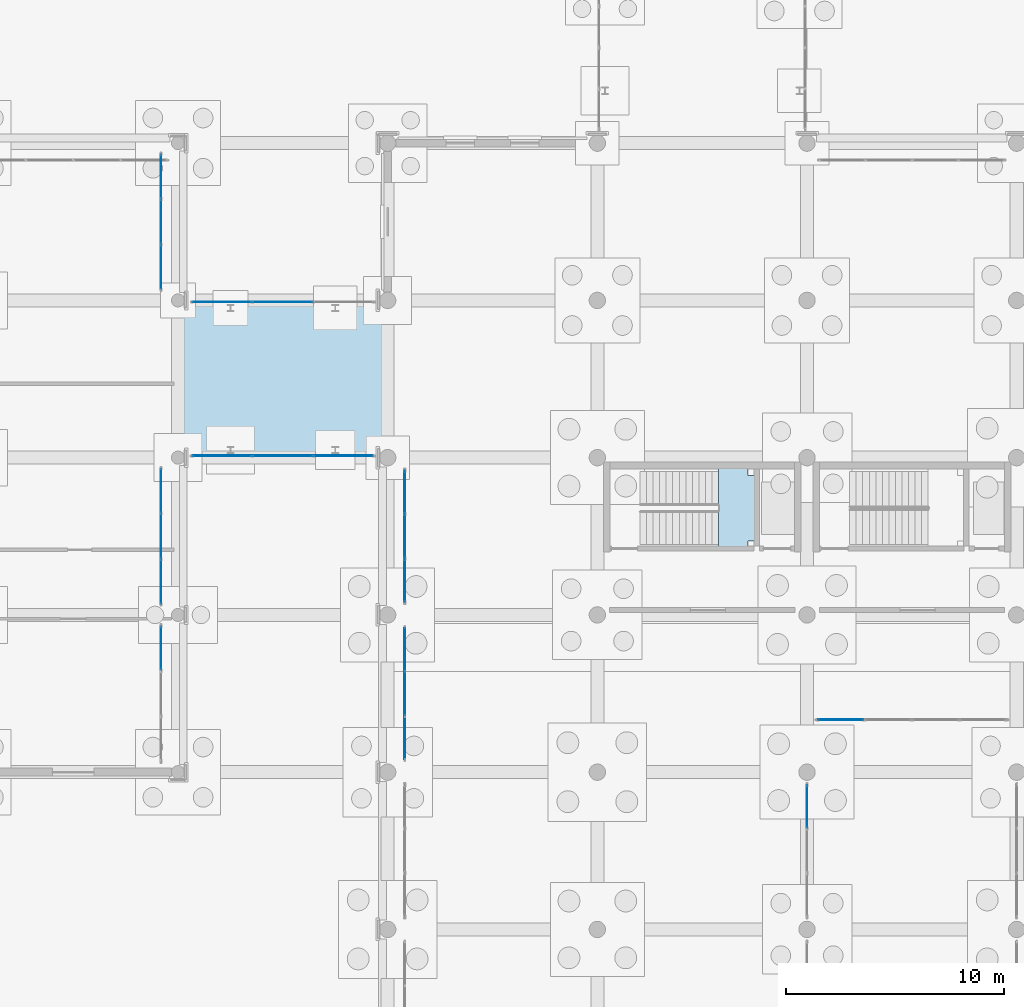
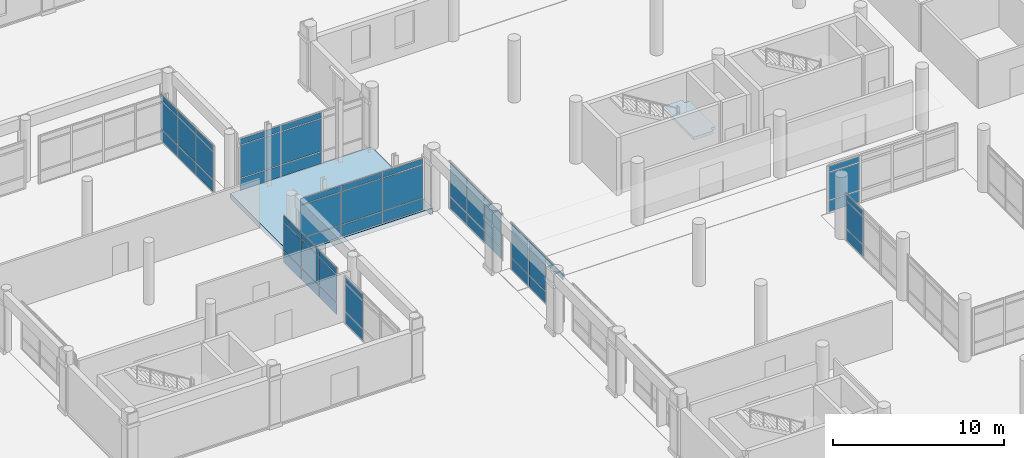
# One storey, part 147 of 196: 58 plates, 2 slabs, 10 elements without a shape of their own.
"""IFC4 building model written with IfcOpenShell, lengths in metres."""

from ifc_helpers import new_model, si_unit, direction, frame, origin, origin_2d, place, context, subcontext, project, spatial, polyline, rectangle, outline, extrude, material, layer, layer_set, type_object, element, aggregate, save


model = new_model("IFC4")

# Units and contexts
model_context = context("Model", 3, precision=1e-05, world=origin(), true_north=direction((0.0, 1.0)))
body_context = subcontext(model_context, "Body", "Model", "MODEL_VIEW")
ifc_project = project(units=[si_unit("LENGTHUNIT", "METRE"), si_unit("AREAUNIT", "SQUARE_METRE"), si_unit("VOLUMEUNIT", "CUBIC_METRE"), si_unit("PLANEANGLEUNIT", "RADIAN"), si_unit("MASSUNIT", "GRAM", prefix="KILO")], contexts=[model_context])

# Site, building, storey
site_placement = place(None, origin())
site = spatial("IfcSite", under=ifc_project, at=site_placement, CompositionType="ELEMENT")
building_placement = place(site_placement, origin())
building = spatial("IfcBuilding", under=site, at=building_placement, Name="Asteropetra Specialist Clinic", CompositionType="ELEMENT")
storey_placement = place(building_placement, origin())
storey = spatial("IfcBuildingStorey", under=building, at=storey_placement, Name="L00", CompositionType="ELEMENT", Elevation=0.0)

# Curtain wall, plates
ifc_material_1 = material(Name="Aluminium and low-E glass", Category="aluminium")
ifc_layer_1 = layer(ifc_material_1, 0.179931640625)
ifc_layer_set_1 = layer_set([ifc_layer_1], Name="Aluminium and low-E glass")
curtain_wall_type_1 = type_object("IfcCurtainWallType", Name="CW-SYS-04", PredefinedType="USERDEFINED", material=ifc_layer_set_1)
curtain_wall_1_placement = place(storey_placement, origin())
curtain_wall_1 = element("IfcCurtainWall", 1, at=curtain_wall_1_placement, inside=storey, type_object=curtain_wall_type_1, Name="Curtain Wall CW-116", ObjectType="UNITISED CURTAIN WALL", PredefinedType="USERDEFINED")
ifc_material_2 = material(Name="Low-E double glazing", Category="glass")
ifc_layer_2 = layer(ifc_material_2, 0.028076171875)
ifc_layer_set_2 = layer_set([ifc_layer_2], Name="Low-E double glazing")
plate_type_1 = type_object("IfcPlateType", Name="CWP-GLZ-28", PredefinedType="CURTAIN_PANEL", material=ifc_layer_set_2)
plate_1_placement = place(storey_placement, frame((100.800048828125, 55.1201171875, 0.06005859375), z_axis=(0.0, 0.0, 1.0), x_axis=(-1.0, 0.0, 0.0)))
plate_1 = element("IfcPlate", 2, at=plate_1_placement, type_object=plate_type_1, Name="CW-116 panel 2.1", PredefinedType="CURTAIN_PANEL", context=body_context, shape_type="SweptSolid", body=[
    extrude(rectangle(XDim=2.7333984375, YDim=0.028076171875, at=origin_2d()), origin(), (0.0, 0.0, 1.0), 0.81005859375),
])
plate_2_placement = place(storey_placement, frame((100.800048828125, 55.1201171875, 0.929931640625), z_axis=(0.0, 0.0, 1.0), x_axis=(-1.0, 0.0, 0.0)))
plate_2 = element("IfcPlate", 3, at=plate_2_placement, type_object=plate_type_1, Name="CW-116 panel 2.2", PredefinedType="CURTAIN_PANEL", context=body_context, shape_type="SweptSolid", body=[
    extrude(rectangle(XDim=2.7333984375, YDim=0.028076171875, at=origin_2d()), origin(), (0.0, 0.0, 1.0), 2.31005859375),
])
plate_3_placement = place(storey_placement, frame((100.800048828125, 55.1201171875, 3.2998046875), z_axis=(0.0, 0.0, 1.0), x_axis=(-1.0, 0.0, 0.0)))
plate_3 = element("IfcPlate", 4, at=plate_3_placement, type_object=plate_type_1, Name="CW-116 panel 2.3", PredefinedType="CURTAIN_PANEL", context=body_context, shape_type="SweptSolid", body=[
    extrude(rectangle(XDim=2.7333984375, YDim=0.028076171875, at=origin_2d()), origin(), (0.0, 0.0, 1.0), 0.409912109375),
])
plate_4_placement = place(storey_placement, frame((98.021728515625, 55.1201171875, 0.06005859375), z_axis=(0.0, 0.0, 1.0), x_axis=(-1.0, 0.0, 0.0)))
plate_4 = element("IfcPlate", 5, at=plate_4_placement, type_object=plate_type_1, Name="CW-116 panel 3.1", PredefinedType="CURTAIN_PANEL", context=body_context, shape_type="SweptSolid", body=[
    extrude(rectangle(XDim=2.703369140625, YDim=0.028076171875, at=origin_2d()), origin(), (0.0, 0.0, 1.0), 0.81005859375),
])
plate_5_placement = place(storey_placement, frame((98.021728515625, 55.1201171875, 0.929931640625), z_axis=(0.0, 0.0, 1.0), x_axis=(-1.0, 0.0, 0.0)))
plate_5 = element("IfcPlate", 6, at=plate_5_placement, type_object=plate_type_1, Name="CW-116 panel 3.2", PredefinedType="CURTAIN_PANEL", context=body_context, shape_type="SweptSolid", body=[
    extrude(rectangle(XDim=2.703369140625, YDim=0.028076171875, at=origin_2d()), origin(), (0.0, 0.0, 1.0), 2.31005859375),
])
plate_6_placement = place(storey_placement, frame((98.021728515625, 55.1201171875, 3.2998046875), z_axis=(0.0, 0.0, 1.0), x_axis=(-1.0, 0.0, 0.0)))
plate_6 = element("IfcPlate", 7, at=plate_6_placement, type_object=plate_type_1, Name="CW-116 panel 3.3", PredefinedType="CURTAIN_PANEL", context=body_context, shape_type="SweptSolid", body=[
    extrude(rectangle(XDim=2.703369140625, YDim=0.028076171875, at=origin_2d()), origin(), (0.0, 0.0, 1.0), 0.409912109375),
])
aggregate(curtain_wall_1, [plate_1, plate_2, plate_3, plate_4, plate_5, plate_6])

ifc_material_3 = material(Name="Aluminium and low-E glass", Category="aluminium")
ifc_layer_3 = layer(ifc_material_3, 0.14990234375)
ifc_layer_set_3 = layer_set([ifc_layer_3], Name="Aluminium and low-E glass")
curtain_wall_type_2 = type_object("IfcCurtainWallType", Name="CW-SYS-11", PredefinedType="USERDEFINED", material=ifc_layer_set_3)
curtain_wall_2_placement = place(storey_placement, origin())
curtain_wall_2 = element("IfcCurtainWall", 8, at=curtain_wall_2_placement, inside=storey, type_object=curtain_wall_type_2, Name="Curtain Wall CW-168", ObjectType="STICK GLAZED COLONNADE", PredefinedType="USERDEFINED")
plate_7_placement = place(storey_placement, frame((95.219970703125, 39.274658203125, 0.074951171875), z_axis=(0.0, 0.0, 1.0), x_axis=(0.0, 1.0, 0.0)))
plate_7 = element("IfcPlate", 9, at=plate_7_placement, type_object=plate_type_1, Name="CW-168 panel 3.1", PredefinedType="CURTAIN_PANEL", context=body_context, shape_type="SweptSolid", body=[
    extrude(rectangle(XDim=1.980712890625, YDim=0.028076171875, at=origin_2d()), origin(), (0.0, 0.0, 1.0), 0.78759765625),
])
plate_8_placement = place(storey_placement, frame((95.219970703125, 39.274658203125, 0.9375), z_axis=(0.0, 0.0, 1.0), x_axis=(0.0, 1.0, 0.0)))
plate_8 = element("IfcPlate", 10, at=plate_8_placement, type_object=plate_type_1, Name="CW-168 panel 3.2", PredefinedType="CURTAIN_PANEL", context=body_context, shape_type="SweptSolid", body=[
    extrude(rectangle(XDim=1.980712890625, YDim=0.028076171875, at=origin_2d()), origin(), (0.0, 0.0, 1.0), 1.965087890625),
])
plate_9_placement = place(storey_placement, frame((95.219970703125, 39.274658203125, 2.9775390625), z_axis=(0.0, 0.0, 1.0), x_axis=(0.0, 1.0, 0.0)))
plate_9 = element("IfcPlate", 11, at=plate_9_placement, type_object=plate_type_1, Name="CW-168 panel 3.3", PredefinedType="CURTAIN_PANEL", context=body_context, shape_type="SweptSolid", body=[
    extrude(rectangle(XDim=1.980712890625, YDim=0.028076171875, at=origin_2d()), origin(), (0.0, 0.0, 1.0), 0.387451171875),
])
aggregate(curtain_wall_2, [plate_7, plate_8, plate_9])

ifc_material_4 = material(Name="Aluminium and low-E glass", Category="aluminium")
ifc_layer_4 = layer(ifc_material_4, 0.179931640625)
ifc_layer_set_4 = layer_set([ifc_layer_4], Name="Aluminium and low-E glass")
curtain_wall_type_3 = type_object("IfcCurtainWallType", Name="CW-SYS-01", PredefinedType="USERDEFINED", material=ifc_layer_set_4)
curtain_wall_3_placement = place(storey_placement, origin())
curtain_wall_3 = element("IfcCurtainWall", 12, at=curtain_wall_3_placement, inside=storey, type_object=curtain_wall_type_3, Name="Curtain Wall CW-172", ObjectType="UNITISED CURTAIN WALL", PredefinedType="USERDEFINED")
plate_10_placement = place(storey_placement, frame((95.219970703125, 56.722900390625, 0.06494140625), z_axis=(0.0, 0.0, 1.0), x_axis=(0.0, 1.0, 0.0)))
plate_10 = element("IfcPlate", 13, at=plate_10_placement, type_object=plate_type_1, Name="CW-172 panel 1.1", PredefinedType="CURTAIN_PANEL", context=body_context, shape_type="SweptSolid", body=[
    extrude(rectangle(XDim=1.995849609375, YDim=0.028076171875, at=origin_2d()), origin(), (0.0, 0.0, 1.0), 0.802490234375),
])
plate_11_placement = place(storey_placement, frame((95.219970703125, 56.722900390625, 0.932373046875), z_axis=(0.0, 0.0, 1.0), x_axis=(0.0, 1.0, 0.0)))
plate_11 = element("IfcPlate", 14, at=plate_11_placement, type_object=plate_type_1, Name="CW-172 panel 1.2", PredefinedType="CURTAIN_PANEL", context=body_context, shape_type="SweptSolid", body=[
    extrude(rectangle(XDim=1.995849609375, YDim=0.028076171875, at=origin_2d()), origin(), (0.0, 0.0, 1.0), 1.97509765625),
])
plate_12_placement = place(storey_placement, frame((95.219970703125, 56.722900390625, 2.97265625), z_axis=(0.0, 0.0, 1.0), x_axis=(0.0, 1.0, 0.0)))
plate_12 = element("IfcPlate", 15, at=plate_12_placement, type_object=plate_type_1, Name="CW-172 panel 1.3", PredefinedType="CURTAIN_PANEL", context=body_context, shape_type="SweptSolid", body=[
    extrude(rectangle(XDim=1.995849609375, YDim=0.028076171875, at=origin_2d()), origin(), (0.0, 0.0, 1.0), 0.402587890625),
])
plate_13_placement = place(storey_placement, frame((95.219970703125, 58.800048828125, 0.06494140625), z_axis=(0.0, 0.0, 1.0), x_axis=(0.0, 1.0, 0.0)))
plate_13 = element("IfcPlate", 16, at=plate_13_placement, type_object=plate_type_1, Name="CW-172 panel 2.1", PredefinedType="CURTAIN_PANEL", context=body_context, shape_type="SweptSolid", body=[
    extrude(rectangle(XDim=2.0283203125, YDim=0.028076171875, at=origin_2d()), origin(), (0.0, 0.0, 1.0), 0.802490234375),
])
plate_14_placement = place(storey_placement, frame((95.219970703125, 58.800048828125, 0.932373046875), z_axis=(0.0, 0.0, 1.0), x_axis=(0.0, 1.0, 0.0)))
plate_14 = element("IfcPlate", 17, at=plate_14_placement, type_object=plate_type_1, Name="CW-172 panel 2.2", PredefinedType="CURTAIN_PANEL", context=body_context, shape_type="SweptSolid", body=[
    extrude(rectangle(XDim=2.0283203125, YDim=0.028076171875, at=origin_2d()), origin(), (0.0, 0.0, 1.0), 1.97509765625),
])
plate_15_placement = place(storey_placement, frame((95.219970703125, 58.800048828125, 2.97265625), z_axis=(0.0, 0.0, 1.0), x_axis=(0.0, 1.0, 0.0)))
plate_15 = element("IfcPlate", 18, at=plate_15_placement, type_object=plate_type_1, Name="CW-172 panel 2.3", PredefinedType="CURTAIN_PANEL", context=body_context, shape_type="SweptSolid", body=[
    extrude(rectangle(XDim=2.0283203125, YDim=0.028076171875, at=origin_2d()), origin(), (0.0, 0.0, 1.0), 0.402587890625),
])
plate_16_placement = place(storey_placement, frame((95.219970703125, 60.877197265625, 0.06494140625), z_axis=(0.0, 0.0, 1.0), x_axis=(0.0, 1.0, 0.0)))
plate_16 = element("IfcPlate", 19, at=plate_16_placement, type_object=plate_type_1, Name="CW-172 panel 3.1", PredefinedType="CURTAIN_PANEL", context=body_context, shape_type="SweptSolid", body=[
    extrude(rectangle(XDim=1.995849609375, YDim=0.028076171875, at=origin_2d()), origin(), (0.0, 0.0, 1.0), 0.802490234375),
])
plate_17_placement = place(storey_placement, frame((95.219970703125, 60.877197265625, 0.932373046875), z_axis=(0.0, 0.0, 1.0), x_axis=(0.0, 1.0, 0.0)))
plate_17 = element("IfcPlate", 20, at=plate_17_placement, type_object=plate_type_1, Name="CW-172 panel 3.2", PredefinedType="CURTAIN_PANEL", context=body_context, shape_type="SweptSolid", body=[
    extrude(rectangle(XDim=1.995849609375, YDim=0.028076171875, at=origin_2d()), origin(), (0.0, 0.0, 1.0), 1.97509765625),
])
plate_18_placement = place(storey_placement, frame((95.219970703125, 60.877197265625, 2.97265625), z_axis=(0.0, 0.0, 1.0), x_axis=(0.0, 1.0, 0.0)))
plate_18 = element("IfcPlate", 21, at=plate_18_placement, type_object=plate_type_1, Name="CW-172 panel 3.3", PredefinedType="CURTAIN_PANEL", context=body_context, shape_type="SweptSolid", body=[
    extrude(rectangle(XDim=1.995849609375, YDim=0.028076171875, at=origin_2d()), origin(), (0.0, 0.0, 1.0), 0.402587890625),
])
aggregate(curtain_wall_3, [plate_10, plate_11, plate_12, plate_13, plate_14, plate_15, plate_16, plate_17, plate_18])

ifc_material_5 = material(Name="Aluminium and low-E glass", Category="aluminium")
ifc_layer_5 = layer(ifc_material_5, 0.179931640625)
ifc_layer_set_5 = layer_set([ifc_layer_5], Name="Aluminium and low-E glass")
curtain_wall_type_4 = type_object("IfcCurtainWallType", Name="CW-SYS-10", PredefinedType="USERDEFINED", material=ifc_layer_set_5)
curtain_wall_4_placement = place(storey_placement, origin())
curtain_wall_4 = element("IfcCurtainWall", 22, at=curtain_wall_4_placement, inside=storey, type_object=curtain_wall_type_4, Name="Curtain Wall CW-204", ObjectType="STICK GLAZED COLONNADE", PredefinedType="USERDEFINED")
plate_19_placement = place(storey_placement, frame((106.3798828125, 46.424560546875, 0.074951171875), z_axis=(0.0, 0.0, 1.0), x_axis=(0.0, -1.0, 0.0)))
plate_19 = element("IfcPlate", 23, at=plate_19_placement, type_object=plate_type_1, Name="CW-204 panel 1.1", PredefinedType="CURTAIN_PANEL", context=body_context, shape_type="SweptSolid", body=[
    extrude(rectangle(XDim=1.930908203125, YDim=0.028076171875, at=origin_2d()), origin(), (0.0, 0.0, 1.0), 0.78759765625),
])
plate_20_placement = place(storey_placement, frame((106.3798828125, 46.424560546875, 0.9375), z_axis=(0.0, 0.0, 1.0), x_axis=(0.0, -1.0, 0.0)))
plate_20 = element("IfcPlate", 24, at=plate_20_placement, type_object=plate_type_1, Name="CW-204 panel 1.2", PredefinedType="CURTAIN_PANEL", context=body_context, shape_type="SweptSolid", body=[
    extrude(rectangle(XDim=1.930908203125, YDim=0.028076171875, at=origin_2d()), origin(), (0.0, 0.0, 1.0), 1.925048828125),
])
plate_21_placement = place(storey_placement, frame((106.3798828125, 46.424560546875, 2.9375), z_axis=(0.0, 0.0, 1.0), x_axis=(0.0, -1.0, 0.0)))
plate_21 = element("IfcPlate", 25, at=plate_21_placement, type_object=plate_type_1, Name="CW-204 panel 1.3", PredefinedType="CURTAIN_PANEL", context=body_context, shape_type="SweptSolid", body=[
    extrude(rectangle(XDim=1.930908203125, YDim=0.028076171875, at=origin_2d()), origin(), (0.0, 0.0, 1.0), 0.387451171875),
])
plate_22_placement = place(storey_placement, frame((106.3798828125, 44.39990234375, 0.074951171875), z_axis=(0.0, 0.0, 1.0), x_axis=(0.0, -1.0, 0.0)))
plate_22 = element("IfcPlate", 26, at=plate_22_placement, type_object=plate_type_1, Name="CW-204 panel 2.1", PredefinedType="CURTAIN_PANEL", context=body_context, shape_type="SweptSolid", body=[
    extrude(rectangle(XDim=1.96826171875, YDim=0.028076171875, at=origin_2d()), origin(), (0.0, 0.0, 1.0), 0.78759765625),
])
plate_23_placement = place(storey_placement, frame((106.3798828125, 44.39990234375, 0.9375), z_axis=(0.0, 0.0, 1.0), x_axis=(0.0, -1.0, 0.0)))
plate_23 = element("IfcPlate", 27, at=plate_23_placement, type_object=plate_type_1, Name="CW-204 panel 2.2", PredefinedType="CURTAIN_PANEL", context=body_context, shape_type="SweptSolid", body=[
    extrude(rectangle(XDim=1.96826171875, YDim=0.028076171875, at=origin_2d()), origin(), (0.0, 0.0, 1.0), 1.925048828125),
])
plate_24_placement = place(storey_placement, frame((106.3798828125, 44.39990234375, 2.9375), z_axis=(0.0, 0.0, 1.0), x_axis=(0.0, -1.0, 0.0)))
plate_24 = element("IfcPlate", 28, at=plate_24_placement, type_object=plate_type_1, Name="CW-204 panel 2.3", PredefinedType="CURTAIN_PANEL", context=body_context, shape_type="SweptSolid", body=[
    extrude(rectangle(XDim=1.96826171875, YDim=0.028076171875, at=origin_2d()), origin(), (0.0, 0.0, 1.0), 0.387451171875),
])
plate_25_placement = place(storey_placement, frame((106.3798828125, 42.37548828125, 0.074951171875), z_axis=(0.0, 0.0, 1.0), x_axis=(0.0, -1.0, 0.0)))
plate_25 = element("IfcPlate", 29, at=plate_25_placement, type_object=plate_type_1, Name="CW-204 panel 3.1", PredefinedType="CURTAIN_PANEL", context=body_context, shape_type="SweptSolid", body=[
    extrude(rectangle(XDim=1.930908203125, YDim=0.028076171875, at=origin_2d()), origin(), (0.0, 0.0, 1.0), 0.78759765625),
])
plate_26_placement = place(storey_placement, frame((106.3798828125, 42.37548828125, 0.9375), z_axis=(0.0, 0.0, 1.0), x_axis=(0.0, -1.0, 0.0)))
plate_26 = element("IfcPlate", 30, at=plate_26_placement, type_object=plate_type_1, Name="CW-204 panel 3.2", PredefinedType="CURTAIN_PANEL", context=body_context, shape_type="SweptSolid", body=[
    extrude(rectangle(XDim=1.930908203125, YDim=0.028076171875, at=origin_2d()), origin(), (0.0, 0.0, 1.0), 1.925048828125),
])
plate_27_placement = place(storey_placement, frame((106.3798828125, 42.37548828125, 2.9375), z_axis=(0.0, 0.0, 1.0), x_axis=(0.0, -1.0, 0.0)))
plate_27 = element("IfcPlate", 31, at=plate_27_placement, type_object=plate_type_1, Name="CW-204 panel 3.3", PredefinedType="CURTAIN_PANEL", context=body_context, shape_type="SweptSolid", body=[
    extrude(rectangle(XDim=1.930908203125, YDim=0.028076171875, at=origin_2d()), origin(), (0.0, 0.0, 1.0), 0.387451171875),
])
aggregate(curtain_wall_4, [plate_19, plate_20, plate_21, plate_22, plate_23, plate_24, plate_25, plate_26, plate_27])

curtain_wall_5_placement = place(storey_placement, origin())
curtain_wall_5 = element("IfcCurtainWall", 32, at=curtain_wall_5_placement, inside=storey, type_object=curtain_wall_type_2, Name="Curtain Wall CW-069", ObjectType="STICK GLAZED COLONNADE", PredefinedType="USERDEFINED")
ifc_material_6 = material(Name="Low-E acoustic double glazing", Category="glass")
ifc_layer_6 = layer(ifc_material_6, 0.031982421875)
ifc_layer_set_6 = layer_set([ifc_layer_6], Name="Low-E acoustic double glazing")
plate_type_2 = type_object("IfcPlateType", Name="CWP-GLZ-32", PredefinedType="CURTAIN_PANEL", material=ifc_layer_set_6)
plate_28_placement = place(storey_placement, frame((124.800048828125, 32.024658203125, 0.074951171875), z_axis=(0.0, 0.0, 1.0), x_axis=(0.0, -1.0, 0.0)))
plate_28 = element("IfcPlate", 33, at=plate_28_placement, type_object=plate_type_2, Name="CW-069 panel 1.1", PredefinedType="CURTAIN_PANEL", context=body_context, shape_type="SweptSolid", body=[
    extrude(rectangle(XDim=1.930908203125, YDim=0.031982421875, at=origin_2d()), origin(), (0.0, 0.0, 1.0), 0.78759765625),
])
plate_29_placement = place(storey_placement, frame((124.800048828125, 32.024658203125, 0.9375), z_axis=(0.0, 0.0, 1.0), x_axis=(0.0, -1.0, 0.0)))
plate_29 = element("IfcPlate", 34, at=plate_29_placement, type_object=plate_type_2, Name="CW-069 panel 1.2", PredefinedType="CURTAIN_PANEL", context=body_context, shape_type="SweptSolid", body=[
    extrude(rectangle(XDim=1.930908203125, YDim=0.031982421875, at=origin_2d()), origin(), (0.0, 0.0, 1.0), 1.925048828125),
])
plate_30_placement = place(storey_placement, frame((124.800048828125, 32.024658203125, 2.9375), z_axis=(0.0, 0.0, 1.0), x_axis=(0.0, -1.0, 0.0)))
plate_30 = element("IfcPlate", 35, at=plate_30_placement, type_object=plate_type_2, Name="CW-069 panel 1.3", PredefinedType="CURTAIN_PANEL", context=body_context, shape_type="SweptSolid", body=[
    extrude(rectangle(XDim=1.930908203125, YDim=0.031982421875, at=origin_2d()), origin(), (0.0, 0.0, 1.0), 0.387451171875),
])
aggregate(curtain_wall_5, [plate_28, plate_29, plate_30])

ifc_material_7 = material(Name="Aluminium and low-E glass", Category="aluminium")
ifc_layer_7 = layer(ifc_material_7, 0.135009765625)
ifc_layer_set_7 = layer_set([ifc_layer_7], Name="Aluminium and low-E glass")
curtain_wall_type_5 = type_object("IfcCurtainWallType", Name="CW-SYS-09", PredefinedType="USERDEFINED", material=ifc_layer_set_7)
curtain_wall_6_placement = place(storey_placement, origin())
curtain_wall_6 = element("IfcCurtainWall", 36, at=curtain_wall_6_placement, inside=storey, type_object=curtain_wall_type_5, Name="Curtain Wall CW-066", ObjectType="STICK GLAZED COLONNADE", PredefinedType="USERDEFINED")
ifc_material_8 = material(Name="Solar-control triple glazing", Category="glass")
ifc_layer_8 = layer(ifc_material_8, 0.035888671875)
ifc_layer_set_8 = layer_set([ifc_layer_8], Name="Solar-control triple glazing")
plate_type_3 = type_object("IfcPlateType", Name="CWP-GLZ-36", PredefinedType="CURTAIN_PANEL", material=ifc_layer_set_8)
plate_31_placement = place(storey_placement, frame((126.3486328125, 36.0, 0.074951171875), z_axis=(0.0, 0.0, 1.0), x_axis=(-1.0, 0.0, 0.0)))
plate_31 = element("IfcPlate", 37, at=plate_31_placement, type_object=plate_type_3, Name="CW-066 panel 4.1", PredefinedType="CURTAIN_PANEL", context=body_context, shape_type="SweptSolid", body=[
    extrude(rectangle(XDim=2.0673828125, YDim=0.035888671875, at=origin_2d()), origin(), (0.0, 0.0, 1.0), 0.78759765625),
])
plate_32_placement = place(storey_placement, frame((126.3486328125, 36.0, 0.9375), z_axis=(0.0, 0.0, 1.0), x_axis=(-1.0, 0.0, 0.0)))
plate_32 = element("IfcPlate", 38, at=plate_32_placement, type_object=plate_type_3, Name="CW-066 panel 4.2", PredefinedType="CURTAIN_PANEL", context=body_context, shape_type="SweptSolid", body=[
    extrude(rectangle(XDim=2.0673828125, YDim=0.035888671875, at=origin_2d()), origin(), (0.0, 0.0, 1.0), 1.925048828125),
])
plate_33_placement = place(storey_placement, frame((126.3486328125, 36.0, 2.9375), z_axis=(0.0, 0.0, 1.0), x_axis=(-1.0, 0.0, 0.0)))
plate_33 = element("IfcPlate", 39, at=plate_33_placement, type_object=plate_type_3, Name="CW-066 panel 4.3", PredefinedType="CURTAIN_PANEL", context=body_context, shape_type="SweptSolid", body=[
    extrude(rectangle(XDim=2.0673828125, YDim=0.035888671875, at=origin_2d()), origin(), (0.0, 0.0, 1.0), 0.387451171875),
])
aggregate(curtain_wall_6, [plate_31, plate_32, plate_33])

curtain_wall_7_placement = place(storey_placement, origin())
curtain_wall_7 = element("IfcCurtainWall", 40, at=curtain_wall_7_placement, inside=storey, type_object=curtain_wall_type_4, Name="Curtain Wall CW-170", ObjectType="STICK GLAZED COLONNADE", PredefinedType="USERDEFINED")
plate_34_placement = place(storey_placement, frame((95.219970703125, 42.32177734375, 0.06005859375), z_axis=(0.0, 0.0, 1.0), x_axis=(0.0, 1.0, 0.0)))
plate_34 = element("IfcPlate", 41, at=plate_34_placement, type_object=plate_type_3, Name="CW-170 panel 1.1", PredefinedType="CURTAIN_PANEL", context=body_context, shape_type="SweptSolid", body=[
    extrude(rectangle(XDim=2.00341796875, YDim=0.035888671875, at=origin_2d()), origin(), (0.0, 0.0, 1.0), 0.81005859375),
])
plate_35_placement = place(storey_placement, frame((95.219970703125, 42.32177734375, 0.929931640625), z_axis=(0.0, 0.0, 1.0), x_axis=(0.0, 1.0, 0.0)))
plate_35 = element("IfcPlate", 42, at=plate_35_placement, type_object=plate_type_3, Name="CW-170 panel 1.2", PredefinedType="CURTAIN_PANEL", context=body_context, shape_type="SweptSolid", body=[
    extrude(rectangle(XDim=2.00341796875, YDim=0.035888671875, at=origin_2d()), origin(), (0.0, 0.0, 1.0), 1.97998046875),
])
plate_36_placement = place(storey_placement, frame((95.219970703125, 42.32177734375, 2.97021484375), z_axis=(0.0, 0.0, 1.0), x_axis=(0.0, 1.0, 0.0)))
plate_36 = element("IfcPlate", 43, at=plate_36_placement, type_object=plate_type_3, Name="CW-170 panel 1.3", PredefinedType="CURTAIN_PANEL", context=body_context, shape_type="SweptSolid", body=[
    extrude(rectangle(XDim=2.00341796875, YDim=0.035888671875, at=origin_2d()), origin(), (0.0, 0.0, 1.0), 0.409912109375),
])
plate_37_placement = place(storey_placement, frame((95.219970703125, 44.39990234375, 0.06005859375), z_axis=(0.0, 0.0, 1.0), x_axis=(0.0, 1.0, 0.0)))
plate_37 = element("IfcPlate", 44, at=plate_37_placement, type_object=plate_type_3, Name="CW-170 panel 2.1", PredefinedType="CURTAIN_PANEL", context=body_context, shape_type="SweptSolid", body=[
    extrude(rectangle(XDim=2.033447265625, YDim=0.035888671875, at=origin_2d()), origin(), (0.0, 0.0, 1.0), 0.81005859375),
])
plate_38_placement = place(storey_placement, frame((95.219970703125, 44.39990234375, 0.929931640625), z_axis=(0.0, 0.0, 1.0), x_axis=(0.0, 1.0, 0.0)))
plate_38 = element("IfcPlate", 45, at=plate_38_placement, type_object=plate_type_3, Name="CW-170 panel 2.2", PredefinedType="CURTAIN_PANEL", context=body_context, shape_type="SweptSolid", body=[
    extrude(rectangle(XDim=2.033447265625, YDim=0.035888671875, at=origin_2d()), origin(), (0.0, 0.0, 1.0), 1.97998046875),
])
plate_39_placement = place(storey_placement, frame((95.219970703125, 44.39990234375, 2.97021484375), z_axis=(0.0, 0.0, 1.0), x_axis=(0.0, 1.0, 0.0)))
plate_39 = element("IfcPlate", 46, at=plate_39_placement, type_object=plate_type_3, Name="CW-170 panel 2.3", PredefinedType="CURTAIN_PANEL", context=body_context, shape_type="SweptSolid", body=[
    extrude(rectangle(XDim=2.033447265625, YDim=0.035888671875, at=origin_2d()), origin(), (0.0, 0.0, 1.0), 0.409912109375),
])
plate_40_placement = place(storey_placement, frame((95.219970703125, 46.478271484375, 0.06005859375), z_axis=(0.0, 0.0, 1.0), x_axis=(0.0, 1.0, 0.0)))
plate_40 = element("IfcPlate", 47, at=plate_40_placement, type_object=plate_type_3, Name="CW-170 panel 3.1", PredefinedType="CURTAIN_PANEL", context=body_context, shape_type="SweptSolid", body=[
    extrude(rectangle(XDim=2.00341796875, YDim=0.035888671875, at=origin_2d()), origin(), (0.0, 0.0, 1.0), 0.81005859375),
])
plate_41_placement = place(storey_placement, frame((95.219970703125, 46.478271484375, 0.929931640625), z_axis=(0.0, 0.0, 1.0), x_axis=(0.0, 1.0, 0.0)))
plate_41 = element("IfcPlate", 48, at=plate_41_placement, type_object=plate_type_3, Name="CW-170 panel 3.2", PredefinedType="CURTAIN_PANEL", context=body_context, shape_type="SweptSolid", body=[
    extrude(rectangle(XDim=2.00341796875, YDim=0.035888671875, at=origin_2d()), origin(), (0.0, 0.0, 1.0), 1.97998046875),
])
plate_42_placement = place(storey_placement, frame((95.219970703125, 46.478271484375, 2.97021484375), z_axis=(0.0, 0.0, 1.0), x_axis=(0.0, 1.0, 0.0)))
plate_42 = element("IfcPlate", 49, at=plate_42_placement, type_object=plate_type_3, Name="CW-170 panel 3.3", PredefinedType="CURTAIN_PANEL", context=body_context, shape_type="SweptSolid", body=[
    extrude(rectangle(XDim=2.00341796875, YDim=0.035888671875, at=origin_2d()), origin(), (0.0, 0.0, 1.0), 0.409912109375),
])
aggregate(curtain_wall_7, [plate_34, plate_35, plate_36, plate_37, plate_38, plate_39, plate_40, plate_41, plate_42])

curtain_wall_8_placement = place(storey_placement, origin())
curtain_wall_8 = element("IfcCurtainWall", 50, at=curtain_wall_8_placement, inside=storey, type_object=curtain_wall_type_2, Name="Curtain Wall CW-202", ObjectType="STICK GLAZED COLONNADE", PredefinedType="USERDEFINED")
plate_43_placement = place(storey_placement, frame((106.3798828125, 39.22705078125, 0.06494140625), z_axis=(0.0, 0.0, 1.0), x_axis=(0.0, -1.0, 0.0)))
plate_43 = element("IfcPlate", 51, at=plate_43_placement, type_object=plate_type_3, Name="CW-202 panel 1.1", PredefinedType="CURTAIN_PANEL", context=body_context, shape_type="SweptSolid", body=[
    extrude(rectangle(XDim=1.94580078125, YDim=0.035888671875, at=origin_2d()), origin(), (0.0, 0.0, 1.0), 0.802490234375),
])
plate_44_placement = place(storey_placement, frame((106.3798828125, 39.22705078125, 0.932373046875), z_axis=(0.0, 0.0, 1.0), x_axis=(0.0, -1.0, 0.0)))
plate_44 = element("IfcPlate", 52, at=plate_44_placement, type_object=plate_type_3, Name="CW-202 panel 1.2", PredefinedType="CURTAIN_PANEL", context=body_context, shape_type="SweptSolid", body=[
    extrude(rectangle(XDim=1.94580078125, YDim=0.035888671875, at=origin_2d()), origin(), (0.0, 0.0, 1.0), 1.93505859375),
])
plate_45_placement = place(storey_placement, frame((106.3798828125, 39.22705078125, 2.9326171875), z_axis=(0.0, 0.0, 1.0), x_axis=(0.0, -1.0, 0.0)))
plate_45 = element("IfcPlate", 53, at=plate_45_placement, type_object=plate_type_3, Name="CW-202 panel 1.3", PredefinedType="CURTAIN_PANEL", context=body_context, shape_type="SweptSolid", body=[
    extrude(rectangle(XDim=1.94580078125, YDim=0.035888671875, at=origin_2d()), origin(), (0.0, 0.0, 1.0), 0.402587890625),
])
plate_46_placement = place(storey_placement, frame((106.3798828125, 37.199951171875, 0.06494140625), z_axis=(0.0, 0.0, 1.0), x_axis=(0.0, -1.0, 0.0)))
plate_46 = element("IfcPlate", 54, at=plate_46_placement, type_object=plate_type_3, Name="CW-202 panel 2.1", PredefinedType="CURTAIN_PANEL", context=body_context, shape_type="SweptSolid", body=[
    extrude(rectangle(XDim=1.978271484375, YDim=0.035888671875, at=origin_2d()), origin(), (0.0, 0.0, 1.0), 0.802490234375),
])
plate_47_placement = place(storey_placement, frame((106.3798828125, 37.199951171875, 0.932373046875), z_axis=(0.0, 0.0, 1.0), x_axis=(0.0, -1.0, 0.0)))
plate_47 = element("IfcPlate", 55, at=plate_47_placement, type_object=plate_type_3, Name="CW-202 panel 2.2", PredefinedType="CURTAIN_PANEL", context=body_context, shape_type="SweptSolid", body=[
    extrude(rectangle(XDim=1.978271484375, YDim=0.035888671875, at=origin_2d()), origin(), (0.0, 0.0, 1.0), 1.93505859375),
])
plate_48_placement = place(storey_placement, frame((106.3798828125, 37.199951171875, 2.9326171875), z_axis=(0.0, 0.0, 1.0), x_axis=(0.0, -1.0, 0.0)))
plate_48 = element("IfcPlate", 56, at=plate_48_placement, type_object=plate_type_3, Name="CW-202 panel 2.3", PredefinedType="CURTAIN_PANEL", context=body_context, shape_type="SweptSolid", body=[
    extrude(rectangle(XDim=1.978271484375, YDim=0.035888671875, at=origin_2d()), origin(), (0.0, 0.0, 1.0), 0.402587890625),
])
plate_49_placement = place(storey_placement, frame((106.3798828125, 35.1728515625, 2.9326171875), z_axis=(0.0, 0.0, 1.0), x_axis=(0.0, -1.0, 0.0)))
plate_49 = element("IfcPlate", 57, at=plate_49_placement, type_object=plate_type_3, Name="CW-202 panel 3.3", PredefinedType="CURTAIN_PANEL", context=body_context, shape_type="SweptSolid", body=[
    extrude(rectangle(XDim=1.94580078125, YDim=0.035888671875, at=origin_2d()), origin(), (0.0, 0.0, 1.0), 0.402587890625),
])
aggregate(curtain_wall_8, [plate_43, plate_44, plate_45, plate_46, plate_47, plate_48, plate_49])

ifc_material_9 = material(Name="Aluminium and low-E glass", Category="aluminium")
ifc_layer_9 = layer(ifc_material_9, 0.135009765625)
ifc_layer_set_9 = layer_set([ifc_layer_9], Name="Aluminium and low-E glass")
curtain_wall_type_6 = type_object("IfcCurtainWallType", Name="CW-SYS-03", PredefinedType="USERDEFINED", material=ifc_layer_set_9)
curtain_wall_9_placement = place(storey_placement, origin())
curtain_wall_9 = element("IfcCurtainWall", 58, at=curtain_wall_9_placement, inside=storey, type_object=curtain_wall_type_6, Name="Curtain Wall CW-115", ObjectType="UNITISED CURTAIN WALL", PredefinedType="USERDEFINED")
ifc_material_10 = material(Name="Laminated skylight glazing", Category="glass")
ifc_layer_10 = layer(ifc_material_10, 0.0400390625)
ifc_layer_set_10 = layer_set([ifc_layer_10], Name="Laminated skylight glazing")
plate_type_4 = type_object("IfcPlateType", Name="CWP-GLZ-40", PredefinedType="CURTAIN_PANEL", material=ifc_layer_set_10)
plate_50_placement = place(storey_placement, frame((98.02294921875, 48.080078125, 0.06494140625), z_axis=(0.0, 0.0, 1.0), x_axis=(1.0, 0.0, 0.0)))
plate_50 = element("IfcPlate", 59, at=plate_50_placement, type_object=plate_type_4, Name="CW-115 panel 1.1", PredefinedType="CURTAIN_PANEL", context=body_context, shape_type="SweptSolid", body=[
    extrude(rectangle(XDim=2.69580078125, YDim=0.0400390625, at=origin_2d()), origin(), (0.0, 0.0, 1.0), 0.802490234375),
])
plate_51_placement = place(storey_placement, frame((98.02294921875, 48.080078125, 0.9326171875), z_axis=(0.0, 0.0, 1.0), x_axis=(1.0, 0.0, 0.0)))
plate_51 = element("IfcPlate", 60, at=plate_51_placement, type_object=plate_type_4, Name="CW-115 panel 1.2", PredefinedType="CURTAIN_PANEL", context=body_context, shape_type="SweptSolid", body=[
    extrude(rectangle(XDim=2.69580078125, YDim=0.0400390625, at=origin_2d()), origin(), (0.0, 0.0, 1.0), 2.304931640625),
])
plate_52_placement = place(storey_placement, frame((98.02294921875, 48.080078125, 3.30224609375), z_axis=(0.0, 0.0, 1.0), x_axis=(1.0, 0.0, 0.0)))
plate_52 = element("IfcPlate", 61, at=plate_52_placement, type_object=plate_type_4, Name="CW-115 panel 1.3", PredefinedType="CURTAIN_PANEL", context=body_context, shape_type="SweptSolid", body=[
    extrude(rectangle(XDim=2.69580078125, YDim=0.0400390625, at=origin_2d()), origin(), (0.0, 0.0, 1.0), 0.402587890625),
])
plate_53_placement = place(storey_placement, frame((100.800048828125, 48.080078125, 0.06494140625), z_axis=(0.0, 0.0, 1.0), x_axis=(1.0, 0.0, 0.0)))
plate_53 = element("IfcPlate", 62, at=plate_53_placement, type_object=plate_type_4, Name="CW-115 panel 2.1", PredefinedType="CURTAIN_PANEL", context=body_context, shape_type="SweptSolid", body=[
    extrude(rectangle(XDim=2.728271484375, YDim=0.0400390625, at=origin_2d()), origin(), (0.0, 0.0, 1.0), 0.802490234375),
])
plate_54_placement = place(storey_placement, frame((100.800048828125, 48.080078125, 0.9326171875), z_axis=(0.0, 0.0, 1.0), x_axis=(1.0, 0.0, 0.0)))
plate_54 = element("IfcPlate", 63, at=plate_54_placement, type_object=plate_type_4, Name="CW-115 panel 2.2", PredefinedType="CURTAIN_PANEL", context=body_context, shape_type="SweptSolid", body=[
    extrude(rectangle(XDim=2.728271484375, YDim=0.0400390625, at=origin_2d()), origin(), (0.0, 0.0, 1.0), 2.304931640625),
])
plate_55_placement = place(storey_placement, frame((100.800048828125, 48.080078125, 3.30224609375), z_axis=(0.0, 0.0, 1.0), x_axis=(1.0, 0.0, 0.0)))
plate_55 = element("IfcPlate", 64, at=plate_55_placement, type_object=plate_type_4, Name="CW-115 panel 2.3", PredefinedType="CURTAIN_PANEL", context=body_context, shape_type="SweptSolid", body=[
    extrude(rectangle(XDim=2.728271484375, YDim=0.0400390625, at=origin_2d()), origin(), (0.0, 0.0, 1.0), 0.402587890625),
])
plate_56_placement = place(storey_placement, frame((103.5771484375, 48.080078125, 0.06494140625), z_axis=(0.0, 0.0, 1.0), x_axis=(1.0, 0.0, 0.0)))
plate_56 = element("IfcPlate", 65, at=plate_56_placement, type_object=plate_type_4, Name="CW-115 panel 3.1", PredefinedType="CURTAIN_PANEL", context=body_context, shape_type="SweptSolid", body=[
    extrude(rectangle(XDim=2.69580078125, YDim=0.0400390625, at=origin_2d()), origin(), (0.0, 0.0, 1.0), 0.802490234375),
])
plate_57_placement = place(storey_placement, frame((103.5771484375, 48.080078125, 0.9326171875), z_axis=(0.0, 0.0, 1.0), x_axis=(1.0, 0.0, 0.0)))
plate_57 = element("IfcPlate", 66, at=plate_57_placement, type_object=plate_type_4, Name="CW-115 panel 3.2", PredefinedType="CURTAIN_PANEL", context=body_context, shape_type="SweptSolid", body=[
    extrude(rectangle(XDim=2.69580078125, YDim=0.0400390625, at=origin_2d()), origin(), (0.0, 0.0, 1.0), 2.304931640625),
])
plate_58_placement = place(storey_placement, frame((103.5771484375, 48.080078125, 3.30224609375), z_axis=(0.0, 0.0, 1.0), x_axis=(1.0, 0.0, 0.0)))
plate_58 = element("IfcPlate", 67, at=plate_58_placement, type_object=plate_type_4, Name="CW-115 panel 3.3", PredefinedType="CURTAIN_PANEL", context=body_context, shape_type="SweptSolid", body=[
    extrude(rectangle(XDim=2.69580078125, YDim=0.0400390625, at=origin_2d()), origin(), (0.0, 0.0, 1.0), 0.402587890625),
])
aggregate(curtain_wall_9, [plate_50, plate_51, plate_52, plate_53, plate_54, plate_55, plate_56, plate_57, plate_58])

# Slab
ifc_material_11 = material(Name="Concrete C35/45", Category="concrete")
ifc_layer_11 = layer(ifc_material_11, 0.35009765625)
ifc_layer_set_11 = layer_set([ifc_layer_11], Name="Concrete C35/45")
slab_type_1 = type_object("IfcSlabType", Name="SLB-BASE-350", PredefinedType="BASESLAB", material=ifc_layer_set_11)
slab_1_placement = place(storey_placement, frame((0.0, 0.0, -0.35009765625)))
element("IfcSlab", 68, at=slab_1_placement, inside=storey, type_object=slab_type_1, Name="Slab LP4E L00", PredefinedType="BASESLAB", context=body_context, shape_type="SweptSolid", body=[
    extrude(outline(polyline([(96.0400390625, 48.0), (105.56005859375, 48.0), (105.56005859375, 55.199951171875), (96.0400390625, 55.199951171875), (96.0400390625, 48.0)])), origin(), (0.0, 0.0, 1.0), 0.35009765625),
])

# Stair, slab
ifc_material_12 = material(Name="Concrete C35/45", Category="concrete")
stair_type = type_object("IfcStairType", Name="STR-DOG-155", PredefinedType="TWO_STRAIGHT_RUN_STAIR", material=ifc_material_12)
stair_placement = place(storey_placement, origin())
stair = element("IfcStair", 69, at=stair_placement, inside=storey, type_object=stair_type, Name="Type I Stair ST10-L00", PredefinedType="TWO_STRAIGHT_RUN_STAIR")
ifc_material_13 = material(Name="Concrete C35/45", Category="concrete")
ifc_layer_12 = layer(ifc_material_13, 0.199951171875)
ifc_layer_set_12 = layer_set([ifc_layer_12], Name="Concrete C35/45")
slab_type_2 = type_object("IfcSlabType", Name="SLB-LND-200", PredefinedType="LANDING", material=ifc_layer_set_12)
slab_2_placement = place(storey_placement, frame((0.0, 0.0, 2.010009765625)))
slab_2 = element("IfcSlab", 70, at=slab_2_placement, type_object=slab_type_2, Name="ST10-L00 landing 1", PredefinedType="LANDING", context=body_context, shape_type="SweptSolid", body=[
    extrude(outline(polyline([(120.75, 43.8701171875), (122.10009765625, 43.8701171875), (122.10009765625, 44.18994140625), (122.419921875, 44.18994140625), (122.419921875, 47.18994140625), (122.10009765625, 47.18994140625), (122.10009765625, 47.510009765625), (120.75, 47.510009765625), (120.75, 43.8701171875)])), origin(), (0.0, 0.0, 1.0), 0.199951171875),
])
aggregate(stair, [slab_2])

save(model, "model.ifc")
